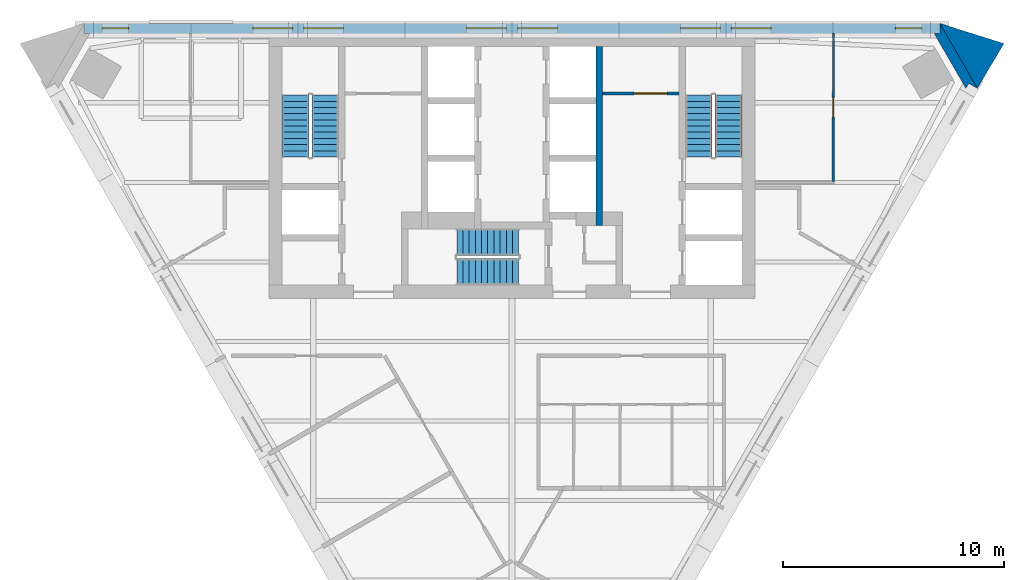
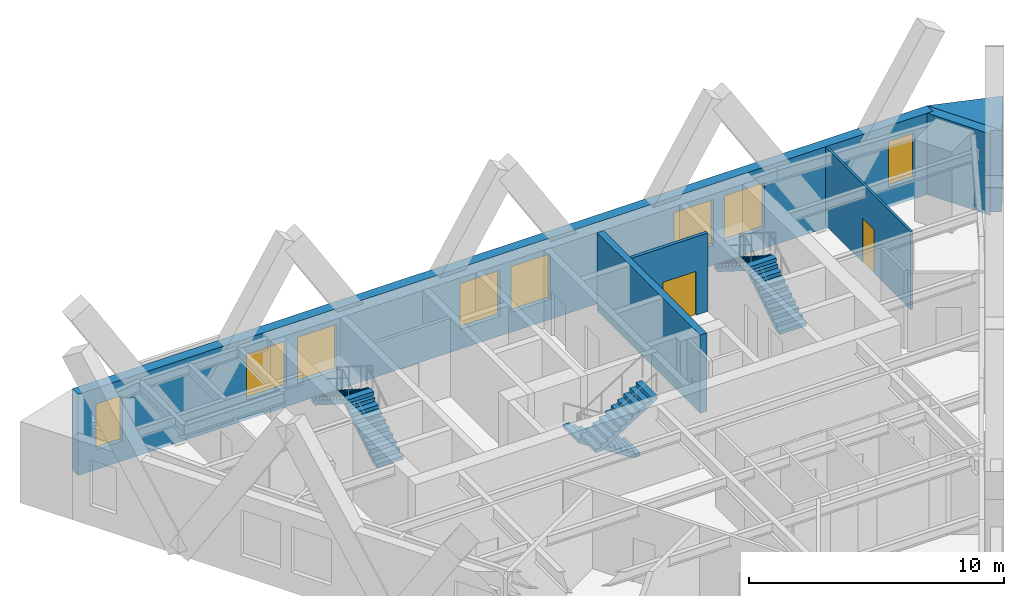
# One storey, part 6 of 7: 8 windows, 6 stair flights, 6 walls, 2 doors, 10 openings, 3 elements without a shape of their own.
"""IFC4 building model written with IfcOpenShell, lengths in metres."""

from ifc_helpers import new_model, si_unit, direction, frame, frame_2d, origin, place, context, subcontext, project, spatial, polyline, rectangle, outline, extrude, material, layer, layer_set, type_object, element, fill, aggregate, save


model = new_model("IFC4")

# Units and contexts
model_context = context("Model", 3, precision=1e-05, world=origin(), true_north=direction((0.0, 1.0)))
body_context = subcontext(model_context, "Body", "Model", "MODEL_VIEW")
ifc_project = project(units=[si_unit("LENGTHUNIT", "METRE"), si_unit("AREAUNIT", "SQUARE_METRE"), si_unit("VOLUMEUNIT", "CUBIC_METRE"), si_unit("PLANEANGLEUNIT", "RADIAN"), si_unit("MASSUNIT", "GRAM", prefix="KILO")], contexts=[model_context])

# Site, building, storey
site_placement = place(None, origin())
site = spatial("IfcSite", under=ifc_project, at=site_placement, CompositionType="ELEMENT")
building_placement = place(site_placement, origin())
building = spatial("IfcBuilding", under=site, at=building_placement, Name="Aloe Facet Convention Tower", CompositionType="ELEMENT")
storey_placement = place(building_placement, frame((0.0, 0.0, 188.0)))
storey = spatial("IfcBuildingStorey", under=building, at=storey_placement, Name="L47", CompositionType="ELEMENT", Elevation=188.0)

# Wall, opening, door
ifc_material_1 = material(Name="Concrete blockwork partition", Category="masonry")
ifc_layer_1 = layer(ifc_material_1, 0.14990234375)
ifc_layer_set_1 = layer_set([ifc_layer_1], Name="CR-W-PART150")
wall_type_1 = type_object("IfcWallType", Name="CR-W-PART150", PredefinedType="PARTITIONING", material=ifc_layer_set_1)
wall_1_placement = place(storey_placement, frame((84.10009765625, 131.824951171875, 0.0), z_axis=(0.0, 0.0, 1.0), x_axis=(1.0, 0.0, 0.0)))
wall_1 = element("IfcWall", 1, at=wall_1_placement, inside=storey, type_object=wall_type_1, Name="Core partition L47-025", PredefinedType="PARTITIONING", context=body_context, shape_type="SweptSolid", body=[
    extrude(rectangle(XDim=3.449951171875, YDim=0.14990234375, at=frame_2d((1.72509765625, 0.0))), origin(), (0.0, 0.0, 1.0), 3.75),
])
opening_1_placement = place(wall_1_placement, frame((1.425048828125, 0.0, 0.0)))
opening_1 = element("IfcOpeningElement", 2, at=opening_1_placement, cuts=wall_1, Name="Opening L47-CD13", PredefinedType="OPENING", context=body_context, shape_type="SweptSolid", body=[
    extrude(rectangle(XDim=1.5, YDim=2.10009765625, at=frame_2d((0.75, 1.050048828125))), frame((0.0, 0.0849609375, 0.0), z_axis=(0.0, -1.0, 0.0), x_axis=(1.0, 0.0, 0.0)), (0.0, 0.0, 1.0), 0.169921875),
])
ifc_material_2 = material(Name="Steel fire-resisting door set FD60", Category="steel")
door_type_1 = type_object("IfcDoorType", Name="CR-D-REFUGE-1500-FD60-DD", OperationType="DOUBLE_DOOR_DOUBLE_SWING", PredefinedType="DOOR", material=ifc_material_2)
door_1_placement = place(opening_1_placement, origin())
door_1 = element("IfcDoor", 3, at=door_1_placement, inside=storey, type_object=door_type_1, Name="Core door L47-CD13", OperationType="DOUBLE_DOOR_DOUBLE_SWING", OverallHeight=2.10009765625, OverallWidth=1.5, PredefinedType="DOOR", context=body_context, shape_type="SweptSolid", body=[
    extrude(rectangle(XDim=1.5, YDim=2.10009765625, at=frame_2d((0.75, 1.050048828125))), frame((0.0, 0.02490234375, 0.0), z_axis=(0.0, -1.0, 0.0), x_axis=(1.0, 0.0, 0.0)), (0.0, 0.0, 1.0), 0.050048828125),
])
fill(opening_1, door_1)

# Walls
ifc_material_3 = material(Name="Concrete C50/60", Category="concrete")
ifc_layer_2 = layer(ifc_material_3, 0.300048828125)
ifc_layer_set_2 = layer_set([ifc_layer_2], Name="CR-W-RC300-C5060")
wall_type_2 = type_object("IfcWallType", Name="CR-W-RC300-C5060", PredefinedType="SOLIDWALL", material=ifc_layer_set_2)
wall_2_placement = place(storey_placement, frame((83.949951171875, 133.949951171875, 0.0), z_axis=(0.0, 0.0, 1.0), x_axis=(0.0, -1.0, 0.0)))
element("IfcWall", 4, at=wall_2_placement, inside=storey, type_object=wall_type_2, Name="Core wall L47-024", PredefinedType="SOLIDWALL", context=body_context, shape_type="SweptSolid", body=[
    extrude(rectangle(XDim=8.099853515625, YDim=0.300048828125, at=frame_2d((4.0498046875, 0.0))), origin(), (0.0, 0.0, 1.0), 3.75),
])
ifc_material_4 = material(Name="Precast concrete C40/50", Category="concrete")
ifc_layer_3 = layer(ifc_material_4, 0.449951171875)
ifc_layer_set_3 = layer_set([ifc_layer_3], Name="EV-WALL-PIER")
wall_type_3 = type_object("IfcWallType", Name="EV-WALL-PIER", PredefinedType="SOLIDWALL", material=ifc_layer_set_3)
wall_3_placement = place(storey_placement, frame((0.0, 0.0, -0.14990234375)))
element("IfcWall", 5, at=wall_3_placement, inside=storey, type_object=wall_type_3, Name="EP-L47-C", PredefinedType="SOLIDWALL", context=body_context, shape_type="SweptSolid", body=[
    extrude(outline(polyline([(101.064697265625, 132.055419921875), (100.6748046875, 132.280517578125), (100.544921875, 132.055419921875), (99.104736328125, 134.550048828125), (99.364501953125, 134.550048828125), (99.364501953125, 135.0), (101.064697265625, 132.055419921875)])), origin(), (0.0, 0.0, 1.0), 3.89990234375),
])
ifc_material_5 = material(Name="Precast concrete C40/50", Category="concrete")
ifc_layer_4 = layer(ifc_material_5, 3.947998046875)
ifc_layer_set_4 = layer_set([ifc_layer_4], Name="EV-WALL-SPINE")
wall_type_4 = type_object("IfcWallType", Name="EV-WALL-SPINE", PredefinedType="SOLIDWALL", material=ifc_layer_set_4)
wall_4_placement = place(storey_placement, frame((0.0, 0.0, -0.14990234375)))
element("IfcWall", 6, at=wall_4_placement, inside=storey, type_object=wall_type_4, Name="SP-NE-L47", PredefinedType="SOLIDWALL", context=body_context, shape_type="SweptSolid", body=[
    extrude(outline(polyline([(101.064697265625, 132.055419921875), (102.27001953125, 134.08349609375), (99.364501953125, 135.0), (101.064697265625, 132.055419921875)])), origin(), (0.0, 0.0, 1.0), 3.89990234375),
])

# Wall, openings, windows
ifc_material_6 = material(Name="Precast concrete C40/50", Category="concrete")
ifc_layer_5 = layer(ifc_material_6, 0.449951171875)
ifc_layer_set_5 = layer_set([ifc_layer_5], Name="EV-WALL-STONE")
wall_type_5 = type_object("IfcWallType", Name="EV-WALL-STONE", PredefinedType="SOLIDWALL", material=ifc_layer_set_5)
wall_5_placement = place(storey_placement, frame((99.364501953125, 134.77490234375, -0.14990234375), z_axis=(0.0, 0.0, 1.0), x_axis=(-1.0, 0.0, 0.0)))
wall_5 = element("IfcWall", 7, at=wall_5_placement, inside=storey, type_object=wall_type_5, Name="EW-L47-N01", PredefinedType="SOLIDWALL", context=body_context, shape_type="SweptSolid", body=[
    extrude(outline(polyline([(38.729248046875, 0.0), (38.729248046875, 3.89990234375), (0.0, 3.89990234375), (0.0, 0.0), (38.729248046875, 0.0)])), frame((0.0, 0.22509765625, 0.0), z_axis=(0.0, -1.0, 0.0), x_axis=(1.0, 0.0, 0.0)), (0.0, 0.0, 1.0), 0.449951171875),
])
opening_2_placement = place(wall_5_placement, frame((0.80712890625, 0.0, 0.949951171875)))
opening_2 = element("IfcOpeningElement", 8, at=opening_2_placement, cuts=wall_5, Name="Opening W-L47-N01", PredefinedType="OPENING", context=body_context, shape_type="SweptSolid", body=[
    extrude(rectangle(XDim=1.199951171875, YDim=2.199951171875, at=frame_2d((0.60009765625, 1.10009765625))), frame((0.0, 0.23486328125, 0.0), z_axis=(0.0, -1.0, 0.0), x_axis=(1.0, 0.0, 0.0)), (0.0, 0.0, 1.0), 0.469970703125),
])
opening_3_placement = place(wall_5_placement, frame((7.63232421875, 0.0, 0.949951171875)))
opening_3 = element("IfcOpeningElement", 9, at=opening_3_placement, cuts=wall_5, Name="Opening W-L47-N02", PredefinedType="OPENING", context=body_context, shape_type="SweptSolid", body=[
    extrude(rectangle(XDim=1.800048828125, YDim=2.199951171875, at=frame_2d((0.89990234375, 1.10009765625))), frame((0.0, 0.23486328125, 0.0), z_axis=(0.0, -1.0, 0.0), x_axis=(1.0, 0.0, 0.0)), (0.0, 0.0, 1.0), 0.469970703125),
])
opening_4_placement = place(wall_5_placement, frame((9.932373046875, 0.0, 0.949951171875)))
opening_4 = element("IfcOpeningElement", 10, at=opening_4_placement, cuts=wall_5, Name="Opening W-L47-N03", PredefinedType="OPENING", context=body_context, shape_type="SweptSolid", body=[
    extrude(rectangle(XDim=1.800048828125, YDim=2.199951171875, at=frame_2d((0.89990234375, 1.10009765625))), frame((0.0, 0.23486328125, 0.0), z_axis=(0.0, -1.0, 0.0), x_axis=(1.0, 0.0, 0.0)), (0.0, 0.0, 1.0), 0.469970703125),
])
opening_5_placement = place(wall_5_placement, frame((17.314697265625, 0.0, 0.949951171875)))
opening_5 = element("IfcOpeningElement", 11, at=opening_5_placement, cuts=wall_5, Name="Opening W-L47-N04", PredefinedType="OPENING", context=body_context, shape_type="SweptSolid", body=[
    extrude(rectangle(XDim=1.800048828125, YDim=2.199951171875, at=frame_2d((0.89990234375, 1.10009765625))), frame((0.0, 0.23486328125, 0.0), z_axis=(0.0, -1.0, 0.0), x_axis=(1.0, 0.0, 0.0)), (0.0, 0.0, 1.0), 0.469970703125),
])
opening_6_placement = place(wall_5_placement, frame((19.614501953125, 0.0, 0.949951171875)))
opening_6 = element("IfcOpeningElement", 12, at=opening_6_placement, cuts=wall_5, Name="Opening W-L47-N05", PredefinedType="OPENING", context=body_context, shape_type="SweptSolid", body=[
    extrude(rectangle(XDim=1.800048828125, YDim=2.199951171875, at=frame_2d((0.89990234375, 1.10009765625))), frame((0.0, 0.23486328125, 0.0), z_axis=(0.0, -1.0, 0.0), x_axis=(1.0, 0.0, 0.0)), (0.0, 0.0, 1.0), 0.469970703125),
])
opening_7_placement = place(wall_5_placement, frame((26.996826171875, 0.0, 0.949951171875)))
opening_7 = element("IfcOpeningElement", 13, at=opening_7_placement, cuts=wall_5, Name="Opening W-L47-N06", PredefinedType="OPENING", context=body_context, shape_type="SweptSolid", body=[
    extrude(rectangle(XDim=1.800048828125, YDim=2.199951171875, at=frame_2d((0.89990234375, 1.10009765625))), frame((0.0, 0.23486328125, 0.0), z_axis=(0.0, -1.0, 0.0), x_axis=(1.0, 0.0, 0.0)), (0.0, 0.0, 1.0), 0.469970703125),
])
opening_8_placement = place(wall_5_placement, frame((29.296875, 0.0, 0.949951171875)))
opening_8 = element("IfcOpeningElement", 14, at=opening_8_placement, cuts=wall_5, Name="Opening W-L47-N07", PredefinedType="OPENING", context=body_context, shape_type="SweptSolid", body=[
    extrude(rectangle(XDim=1.800048828125, YDim=2.199951171875, at=frame_2d((0.89990234375, 1.10009765625))), frame((0.0, 0.23486328125, 0.0), z_axis=(0.0, -1.0, 0.0), x_axis=(1.0, 0.0, 0.0)), (0.0, 0.0, 1.0), 0.469970703125),
])
opening_9_placement = place(wall_5_placement, frame((36.72216796875, 0.0, 0.949951171875)))
opening_9 = element("IfcOpeningElement", 15, at=opening_9_placement, cuts=wall_5, Name="Opening W-L47-N08", PredefinedType="OPENING", context=body_context, shape_type="SweptSolid", body=[
    extrude(rectangle(XDim=1.199951171875, YDim=2.199951171875, at=frame_2d((0.60009765625, 1.10009765625))), frame((0.0, 0.23486328125, 0.0), z_axis=(0.0, -1.0, 0.0), x_axis=(1.0, 0.0, 0.0)), (0.0, 0.0, 1.0), 0.469970703125),
])
ifc_material_7 = material(Name="Aluminium frame, clear double glazing", Category="aluminium")
window_type_1 = type_object("IfcWindowType", Name="EV-WIN-O12", PartitioningType="SINGLE_PANEL", PredefinedType="WINDOW", material=ifc_material_7)
window_1_placement = place(opening_2_placement, origin())
window_1 = element("IfcWindow", 16, at=window_1_placement, inside=storey, type_object=window_type_1, Name="W-L47-N01", OverallHeight=2.199951171875, OverallWidth=1.199951171875, PartitioningType="SINGLE_PANEL", PredefinedType="WINDOW", context=body_context, shape_type="SweptSolid", body=[
    extrude(rectangle(XDim=1.199951171875, YDim=2.199951171875, at=frame_2d((0.60009765625, 1.10009765625))), frame((0.0, 0.030029296875, 0.0), z_axis=(0.0, -1.0, 0.0), x_axis=(1.0, 0.0, 0.0)), (0.0, 0.0, 1.0), 0.06005859375),
])
fill(opening_2, window_1)
window_2_placement = place(opening_9_placement, origin())
window_2 = element("IfcWindow", 17, at=window_2_placement, inside=storey, type_object=window_type_1, Name="W-L47-N08", OverallHeight=2.199951171875, OverallWidth=1.199951171875, PartitioningType="SINGLE_PANEL", PredefinedType="WINDOW", context=body_context, shape_type="SweptSolid", body=[
    extrude(rectangle(XDim=1.199951171875, YDim=2.199951171875, at=frame_2d((0.60009765625, 1.10009765625))), frame((0.0, 0.030029296875, 0.0), z_axis=(0.0, -1.0, 0.0), x_axis=(1.0, 0.0, 0.0)), (0.0, 0.0, 1.0), 0.06005859375),
])
fill(opening_9, window_2)
ifc_material_8 = material(Name="Aluminium frame, clear double glazing", Category="aluminium")
window_type_2 = type_object("IfcWindowType", Name="EV-WIN-O18", PartitioningType="SINGLE_PANEL", PredefinedType="WINDOW", material=ifc_material_8)
window_3_placement = place(opening_3_placement, origin())
window_3 = element("IfcWindow", 18, at=window_3_placement, inside=storey, type_object=window_type_2, Name="W-L47-N02", OverallHeight=2.199951171875, OverallWidth=1.800048828125, PartitioningType="SINGLE_PANEL", PredefinedType="WINDOW", context=body_context, shape_type="SweptSolid", body=[
    extrude(rectangle(XDim=1.800048828125, YDim=2.199951171875, at=frame_2d((0.89990234375, 1.10009765625))), frame((0.0, 0.030029296875, 0.0), z_axis=(0.0, -1.0, 0.0), x_axis=(1.0, 0.0, 0.0)), (0.0, 0.0, 1.0), 0.06005859375),
])
fill(opening_3, window_3)
window_4_placement = place(opening_4_placement, origin())
window_4 = element("IfcWindow", 19, at=window_4_placement, inside=storey, type_object=window_type_2, Name="W-L47-N03", OverallHeight=2.199951171875, OverallWidth=1.800048828125, PartitioningType="SINGLE_PANEL", PredefinedType="WINDOW", context=body_context, shape_type="SweptSolid", body=[
    extrude(rectangle(XDim=1.800048828125, YDim=2.199951171875, at=frame_2d((0.89990234375, 1.10009765625))), frame((0.0, 0.030029296875, 0.0), z_axis=(0.0, -1.0, 0.0), x_axis=(1.0, 0.0, 0.0)), (0.0, 0.0, 1.0), 0.06005859375),
])
fill(opening_4, window_4)
window_5_placement = place(opening_5_placement, origin())
window_5 = element("IfcWindow", 20, at=window_5_placement, inside=storey, type_object=window_type_2, Name="W-L47-N04", OverallHeight=2.199951171875, OverallWidth=1.800048828125, PartitioningType="SINGLE_PANEL", PredefinedType="WINDOW", context=body_context, shape_type="SweptSolid", body=[
    extrude(rectangle(XDim=1.800048828125, YDim=2.199951171875, at=frame_2d((0.89990234375, 1.10009765625))), frame((0.0, 0.030029296875, 0.0), z_axis=(0.0, -1.0, 0.0), x_axis=(1.0, 0.0, 0.0)), (0.0, 0.0, 1.0), 0.06005859375),
])
fill(opening_5, window_5)
window_6_placement = place(opening_6_placement, origin())
window_6 = element("IfcWindow", 21, at=window_6_placement, inside=storey, type_object=window_type_2, Name="W-L47-N05", OverallHeight=2.199951171875, OverallWidth=1.800048828125, PartitioningType="SINGLE_PANEL", PredefinedType="WINDOW", context=body_context, shape_type="SweptSolid", body=[
    extrude(rectangle(XDim=1.800048828125, YDim=2.199951171875, at=frame_2d((0.89990234375, 1.10009765625))), frame((0.0, 0.030029296875, 0.0), z_axis=(0.0, -1.0, 0.0), x_axis=(1.0, 0.0, 0.0)), (0.0, 0.0, 1.0), 0.06005859375),
])
fill(opening_6, window_6)
window_7_placement = place(opening_7_placement, origin())
window_7 = element("IfcWindow", 22, at=window_7_placement, inside=storey, type_object=window_type_2, Name="W-L47-N06", OverallHeight=2.199951171875, OverallWidth=1.800048828125, PartitioningType="SINGLE_PANEL", PredefinedType="WINDOW", context=body_context, shape_type="SweptSolid", body=[
    extrude(rectangle(XDim=1.800048828125, YDim=2.199951171875, at=frame_2d((0.89990234375, 1.10009765625))), frame((0.0, 0.030029296875, 0.0), z_axis=(0.0, -1.0, 0.0), x_axis=(1.0, 0.0, 0.0)), (0.0, 0.0, 1.0), 0.06005859375),
])
fill(opening_7, window_7)
window_8_placement = place(opening_8_placement, origin())
window_8 = element("IfcWindow", 23, at=window_8_placement, inside=storey, type_object=window_type_2, Name="W-L47-N07", OverallHeight=2.199951171875, OverallWidth=1.800048828125, PartitioningType="SINGLE_PANEL", PredefinedType="WINDOW", context=body_context, shape_type="SweptSolid", body=[
    extrude(rectangle(XDim=1.800048828125, YDim=2.199951171875, at=frame_2d((0.89990234375, 1.10009765625))), frame((0.0, 0.030029296875, 0.0), z_axis=(0.0, -1.0, 0.0), x_axis=(1.0, 0.0, 0.0)), (0.0, 0.0, 1.0), 0.06005859375),
])
fill(opening_8, window_8)

# Wall, opening, door
ifc_material_9 = material(Name="Gypsum board partition on steel studs", Category="steel")
ifc_layer_6 = layer(ifc_material_9, 0.10009765625)
ifc_layer_set_6 = layer_set([ifc_layer_6], Name="IN-W-PART")
wall_type_6 = type_object("IfcWallType", Name="IN-W-PART", PredefinedType="PARTITIONING", material=ifc_layer_set_6)
wall_6_placement = place(storey_placement, frame((94.54296875, 127.85009765625, 0.0), z_axis=(0.0, 0.0, 1.0), x_axis=(0.000728783103, 0.999999734438, 0.0)))
wall_6 = element("IfcWall", 24, at=wall_6_placement, inside=storey, type_object=wall_type_6, Name="Partition L47-W041", PredefinedType="PARTITIONING", context=body_context, shape_type="SweptSolid", body=[
    extrude(rectangle(XDim=6.699951171875, YDim=0.10009765625, at=frame_2d((3.35009765625, 0.0))), origin(), (0.0, 0.0, 1.0), 3.75),
])
opening_10_placement = place(wall_6_placement, frame((2.89990234375, 0.0, 0.0)))
opening_10 = element("IfcOpeningElement", 25, at=opening_10_placement, cuts=wall_6, Name="Opening L47-006", PredefinedType="OPENING", context=body_context, shape_type="SweptSolid", body=[
    extrude(rectangle(XDim=0.89990234375, YDim=2.10009765625, at=frame_2d((0.449951171875, 1.050048828125))), frame((0.0, 0.06005859375, 0.0), z_axis=(0.0, -1.0, 0.0), x_axis=(1.0, 0.0, 0.0)), (0.0, 0.0, 1.0), 0.1201171875),
])
ifc_material_10 = material(Name="Timber door", Category="wood")
door_type_2 = type_object("IfcDoorType", Name="IN-OFF-D-ROOM", OperationType="SINGLE_SWING_LEFT", PredefinedType="DOOR", material=ifc_material_10)
door_2_placement = place(opening_10_placement, origin())
door_2 = element("IfcDoor", 26, at=door_2_placement, inside=storey, type_object=door_type_2, Name="Door L47-006", OperationType="SINGLE_SWING_LEFT", OverallHeight=2.10009765625, OverallWidth=0.89990234375, PredefinedType="DOOR", context=body_context, shape_type="SweptSolid", body=[
    extrude(rectangle(XDim=0.89990234375, YDim=2.10009765625, at=frame_2d((0.449951171875, 1.050048828125))), frame((0.0, 0.02490234375, 0.0), z_axis=(0.0, -1.0, 0.0), x_axis=(1.0, 0.0, 0.0)), (0.0, 0.0, 1.0), 0.050048828125),
])
fill(opening_10, door_2)

# Stair, stair flights
ifc_material_11 = material(Name="Concrete C50/60", Category="concrete")
stair_type = type_object("IfcStairType", Name="CR-ST-22R", PredefinedType="HALF_TURN_STAIR", material=ifc_material_11)
stair_1_placement = place(storey_placement, origin())
stair_1 = element("IfcStair", 27, at=stair_1_placement, inside=storey, type_object=stair_type, Name="L47 Protected exit stair ST1", PredefinedType="HALF_TURN_STAIR")
ifc_material_12 = material(Name="Concrete C50/60", Category="concrete")
stair_flight_type = type_object("IfcStairFlightType", Name="CR-SFL-22R", PredefinedType="STRAIGHT", material=ifc_material_12)
stair_flight_1_placement = place(storey_placement, frame((71.550048828125, 128.949951171875, 0.0), z_axis=(0.0, 0.0, 1.0), x_axis=(0.0, 1.0, 0.0)))
stair_flight_1 = element("IfcStairFlight", 28, at=stair_flight_1_placement, type_object=stair_flight_type, Name="ST1 flight 1", NumberOfRisers=11, NumberOfTreads=10, PredefinedType="STRAIGHT", RiserHeight=0.177272727, TreadLength=0.28, context=body_context, shape_type="SweptSolid", body=[
    extrude(outline(polyline([(0.0, 0.0), (0.0, 0.17724609375), (0.280029296875, 0.17724609375), (0.280029296875, 0.3544921875), (0.56005859375, 0.3544921875), (0.56005859375, 0.53173828125), (0.840087890625, 0.53173828125), (0.840087890625, 0.708984375), (1.1201171875, 0.708984375), (1.1201171875, 0.886474609375), (1.39990234375, 0.886474609375), (1.39990234375, 1.063720703125), (1.679931640625, 1.063720703125), (1.679931640625, 1.240966796875), (1.9599609375, 1.240966796875), (1.9599609375, 1.418212890625), (2.239990234375, 1.418212890625), (2.239990234375, 1.595458984375), (2.52001953125, 1.595458984375), (2.52001953125, 1.772705078125), (2.800048828125, 1.772705078125), (2.800048828125, 1.949951171875), (2.800048828125, 1.59521484375), (0.2802734375, 0.0), (0.0, 0.0)])), frame((0.0, 0.60009765625, 0.0), z_axis=(0.0, -1.0, 0.0), x_axis=(1.0, 0.0, 0.0)), (0.0, 0.0, 1.0), 1.199951171875),
])
stair_flight_2_placement = place(storey_placement, frame((70.199951171875, 131.75, 1.949951171875), z_axis=(0.0, 0.0, 1.0), x_axis=(0.0, -1.0, 0.0)))
stair_flight_2 = element("IfcStairFlight", 29, at=stair_flight_2_placement, type_object=stair_flight_type, Name="ST1 flight 2", NumberOfRisers=11, NumberOfTreads=10, PredefinedType="STRAIGHT", RiserHeight=0.177272727, TreadLength=0.28, context=body_context, shape_type="SweptSolid", body=[
    extrude(outline(polyline([(0.0, 0.0), (0.0, 0.17724609375), (0.280029296875, 0.17724609375), (0.280029296875, 0.3544921875), (0.56005859375, 0.3544921875), (0.56005859375, 0.53173828125), (0.840087890625, 0.53173828125), (0.840087890625, 0.708984375), (1.1201171875, 0.708984375), (1.1201171875, 0.886474609375), (1.39990234375, 0.886474609375), (1.39990234375, 1.063720703125), (1.679931640625, 1.063720703125), (1.679931640625, 1.240966796875), (1.9599609375, 1.240966796875), (1.9599609375, 1.418212890625), (2.239990234375, 1.418212890625), (2.239990234375, 1.595458984375), (2.52001953125, 1.595458984375), (2.52001953125, 1.772705078125), (2.800048828125, 1.772705078125), (2.800048828125, 1.949951171875), (2.800048828125, 1.59521484375), (0.2802734375, 0.0), (0.0, 0.0)])), frame((0.0, 0.60009765625, 0.0), z_axis=(0.0, -1.0, 0.0), x_axis=(1.0, 0.0, 0.0)), (0.0, 0.0, 1.0), 1.199951171875),
])
aggregate(stair_1, [stair_flight_1, stair_flight_2])

stair_2_placement = place(storey_placement, origin())
stair_2 = element("IfcStair", 30, at=stair_2_placement, inside=storey, type_object=stair_type, Name="L47 Protected exit stair ST2", PredefinedType="HALF_TURN_STAIR")
stair_flight_3_placement = place(storey_placement, frame((89.800048828125, 128.949951171875, 0.0), z_axis=(0.0, 0.0, 1.0), x_axis=(0.0, 1.0, 0.0)))
stair_flight_3 = element("IfcStairFlight", 31, at=stair_flight_3_placement, type_object=stair_flight_type, Name="ST2 flight 1", NumberOfRisers=11, NumberOfTreads=10, PredefinedType="STRAIGHT", RiserHeight=0.177272727, TreadLength=0.28, context=body_context, shape_type="SweptSolid", body=[
    extrude(outline(polyline([(0.0, 0.0), (0.0, 0.17724609375), (0.280029296875, 0.17724609375), (0.280029296875, 0.3544921875), (0.56005859375, 0.3544921875), (0.56005859375, 0.53173828125), (0.840087890625, 0.53173828125), (0.840087890625, 0.708984375), (1.1201171875, 0.708984375), (1.1201171875, 0.886474609375), (1.39990234375, 0.886474609375), (1.39990234375, 1.063720703125), (1.679931640625, 1.063720703125), (1.679931640625, 1.240966796875), (1.9599609375, 1.240966796875), (1.9599609375, 1.418212890625), (2.239990234375, 1.418212890625), (2.239990234375, 1.595458984375), (2.52001953125, 1.595458984375), (2.52001953125, 1.772705078125), (2.800048828125, 1.772705078125), (2.800048828125, 1.949951171875), (2.800048828125, 1.59521484375), (0.2802734375, 0.0), (0.0, 0.0)])), frame((0.0, 0.60009765625, 0.0), z_axis=(0.0, -1.0, 0.0), x_axis=(1.0, 0.0, 0.0)), (0.0, 0.0, 1.0), 1.199951171875),
])
stair_flight_4_placement = place(storey_placement, frame((88.449951171875, 131.75, 1.949951171875), z_axis=(0.0, 0.0, 1.0), x_axis=(0.0, -1.0, 0.0)))
stair_flight_4 = element("IfcStairFlight", 32, at=stair_flight_4_placement, type_object=stair_flight_type, Name="ST2 flight 2", NumberOfRisers=11, NumberOfTreads=10, PredefinedType="STRAIGHT", RiserHeight=0.177272727, TreadLength=0.28, context=body_context, shape_type="SweptSolid", body=[
    extrude(outline(polyline([(0.0, 0.0), (0.0, 0.17724609375), (0.280029296875, 0.17724609375), (0.280029296875, 0.3544921875), (0.56005859375, 0.3544921875), (0.56005859375, 0.53173828125), (0.840087890625, 0.53173828125), (0.840087890625, 0.708984375), (1.1201171875, 0.708984375), (1.1201171875, 0.886474609375), (1.39990234375, 0.886474609375), (1.39990234375, 1.063720703125), (1.679931640625, 1.063720703125), (1.679931640625, 1.240966796875), (1.9599609375, 1.240966796875), (1.9599609375, 1.418212890625), (2.239990234375, 1.418212890625), (2.239990234375, 1.595458984375), (2.52001953125, 1.595458984375), (2.52001953125, 1.772705078125), (2.800048828125, 1.772705078125), (2.800048828125, 1.949951171875), (2.800048828125, 1.59521484375), (0.2802734375, 0.0), (0.0, 0.0)])), frame((0.0, 0.60009765625, 0.0), z_axis=(0.0, -1.0, 0.0), x_axis=(1.0, 0.0, 0.0)), (0.0, 0.0, 1.0), 1.199951171875),
])
aggregate(stair_2, [stair_flight_3, stair_flight_4])

stair_3_placement = place(storey_placement, origin())
stair_3 = element("IfcStair", 33, at=stair_3_placement, inside=storey, type_object=stair_type, Name="L47 Protected exit stair ST3", PredefinedType="HALF_TURN_STAIR")
stair_flight_5_placement = place(storey_placement, frame((80.300048828125, 125.10009765625, 0.0), z_axis=(0.0, 0.0, 1.0), x_axis=(-1.0, 0.0, 0.0)))
stair_flight_5 = element("IfcStairFlight", 34, at=stair_flight_5_placement, type_object=stair_flight_type, Name="ST3 flight 1", NumberOfRisers=11, NumberOfTreads=10, PredefinedType="STRAIGHT", RiserHeight=0.177272727, TreadLength=0.28, context=body_context, shape_type="SweptSolid", body=[
    extrude(outline(polyline([(0.0, 0.0), (0.0, 0.17724609375), (0.280029296875, 0.17724609375), (0.280029296875, 0.3544921875), (0.56005859375, 0.3544921875), (0.56005859375, 0.53173828125), (0.840087890625, 0.53173828125), (0.840087890625, 0.708984375), (1.1201171875, 0.708984375), (1.1201171875, 0.886474609375), (1.39990234375, 0.886474609375), (1.39990234375, 1.063720703125), (1.679931640625, 1.063720703125), (1.679931640625, 1.240966796875), (1.9599609375, 1.240966796875), (1.9599609375, 1.418212890625), (2.239990234375, 1.418212890625), (2.239990234375, 1.595458984375), (2.52001953125, 1.595458984375), (2.52001953125, 1.772705078125), (2.800048828125, 1.772705078125), (2.800048828125, 1.949951171875), (2.800048828125, 1.59521484375), (0.2802734375, 0.0), (0.0, 0.0)])), frame((0.0, 0.60009765625, 0.0), z_axis=(0.0, -1.0, 0.0), x_axis=(1.0, 0.0, 0.0)), (0.0, 0.0, 1.0), 1.199951171875),
])
stair_flight_6_placement = place(storey_placement, frame((77.5, 123.75, 1.949951171875), z_axis=(0.0, 0.0, 1.0), x_axis=(1.0, 0.0, 0.0)))
stair_flight_6 = element("IfcStairFlight", 35, at=stair_flight_6_placement, type_object=stair_flight_type, Name="ST3 flight 2", NumberOfRisers=11, NumberOfTreads=10, PredefinedType="STRAIGHT", RiserHeight=0.177272727, TreadLength=0.28, context=body_context, shape_type="SweptSolid", body=[
    extrude(outline(polyline([(0.0, 0.0), (0.0, 0.17724609375), (0.280029296875, 0.17724609375), (0.280029296875, 0.3544921875), (0.56005859375, 0.3544921875), (0.56005859375, 0.53173828125), (0.840087890625, 0.53173828125), (0.840087890625, 0.708984375), (1.1201171875, 0.708984375), (1.1201171875, 0.886474609375), (1.39990234375, 0.886474609375), (1.39990234375, 1.063720703125), (1.679931640625, 1.063720703125), (1.679931640625, 1.240966796875), (1.9599609375, 1.240966796875), (1.9599609375, 1.418212890625), (2.239990234375, 1.418212890625), (2.239990234375, 1.595458984375), (2.52001953125, 1.595458984375), (2.52001953125, 1.772705078125), (2.800048828125, 1.772705078125), (2.800048828125, 1.949951171875), (2.800048828125, 1.59521484375), (0.2802734375, 0.0), (0.0, 0.0)])), frame((0.0, 0.60009765625, 0.0), z_axis=(0.0, -1.0, 0.0), x_axis=(1.0, 0.0, 0.0)), (0.0, 0.0, 1.0), 1.199951171875),
])
aggregate(stair_3, [stair_flight_5, stair_flight_6])

save(model, "model.ifc")
